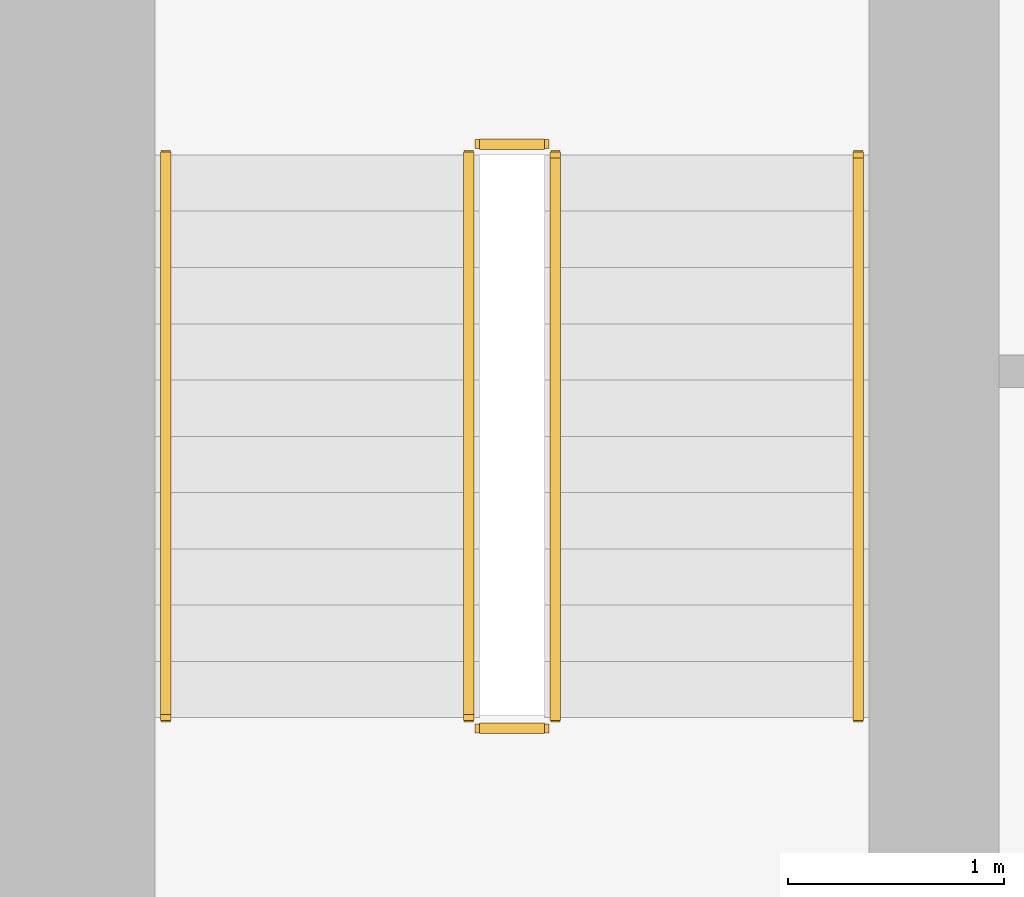
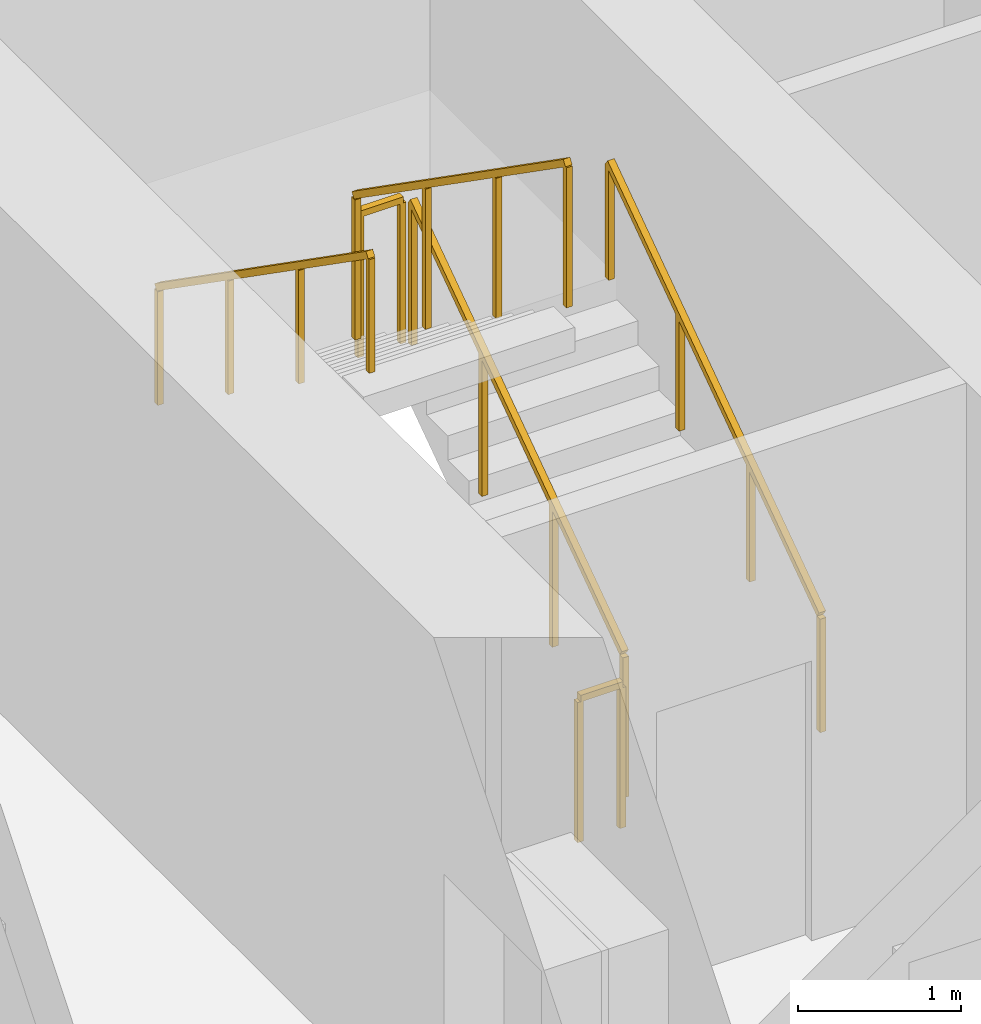
# One storey, part 10 of 12: 6 railings.
"""IFC4 building model written with IfcOpenShell, lengths in metres."""

from ifc_helpers import new_model, si_unit, direction, frame, origin, origin_2d, place, context, subcontext, project, spatial, rectangle, extrude, material, type_object, element, save


model = new_model("IFC4")

# Units and contexts
model_context = context("Model", 3, precision=1e-05, world=origin(), true_north=direction((0.0, 1.0)))
body_context = subcontext(model_context, "Body", "Model", "MODEL_VIEW")
ifc_project = project(units=[si_unit("LENGTHUNIT", "METRE"), si_unit("AREAUNIT", "SQUARE_METRE"), si_unit("VOLUMEUNIT", "CUBIC_METRE"), si_unit("PLANEANGLEUNIT", "RADIAN"), si_unit("MASSUNIT", "GRAM", prefix="KILO")], contexts=[model_context])

# Site, building, storey
site_placement = place(None, origin())
site = spatial("IfcSite", under=ifc_project, at=site_placement, CompositionType="ELEMENT")
building_placement = place(site_placement, origin())
building = spatial("IfcBuilding", under=site, at=building_placement, Name="Rattan Terrace Tower", CompositionType="ELEMENT")
storey_placement = place(building_placement, frame((0.0, 0.0, 292.300048828125)))
storey = spatial("IfcBuildingStorey", under=building, at=storey_placement, Name="C01", CompositionType="ELEMENT", Elevation=292.300048828125)

# Railings
ifc_material_1 = material(Name="Powder-coated steel guard", Category="steel")
railing_type_1 = type_object("IfcRailingType", Name="Core stair guard", PredefinedType="GUARDRAIL", material=ifc_material_1)
railing_1_placement = place(storey_placement, frame((-15.25, 1.699951171875, 0.181884765625)))
element("IfcRailing", 1, at=railing_1_placement, inside=storey, type_object=railing_type_1, Name="C01 S1 stair guard 1", PredefinedType="GUARDRAIL", context=body_context, shape_type="SweptSolid", body=[
    extrude(rectangle(XDim=0.048095703125, YDim=0.048095703125, at=origin_2d()), frame((0.0, 0.0, 1.076171875), z_axis=(0.0, 0.819521025635, 0.573049115296), x_axis=(-1.0, 0.0, 0.0)), (0.0, 0.0, 1.0), 3.172607421875),
    extrude(rectangle(XDim=0.0419921875, YDim=0.0419921875, at=origin_2d()), origin(), (0.0, 0.0, 1.0), 1.052001953125),
    extrude(rectangle(XDim=0.0419921875, YDim=0.0419921875, at=origin_2d()), frame((0.0, 0.86669921875, 0.60595703125)), (0.0, 0.0, 1.0), 1.052001953125),
    extrude(rectangle(XDim=0.0419921875, YDim=0.0419921875, at=origin_2d()), frame((0.0, 1.7333984375, 1.212158203125)), (0.0, 0.0, 1.0), 1.052001953125),
    extrude(rectangle(XDim=0.0419921875, YDim=0.0419921875, at=origin_2d()), frame((0.0, 2.60009765625, 1.818115234375)), (0.0, 0.0, 1.0), 1.052001953125),
])
railing_2_placement = place(storey_placement, frame((-15.300048828125, 4.35009765625, 2.0)))
element("IfcRailing", 2, at=railing_2_placement, inside=storey, type_object=railing_type_1, Name="C01 S1 stair guard 2", PredefinedType="GUARDRAIL", context=body_context, shape_type="SweptSolid", body=[
    extrude(rectangle(XDim=0.048095703125, YDim=0.048095703125, at=origin_2d()), frame((0.0, 0.0, 1.076171875), z_axis=(-1.0, 0.0, 0.0), x_axis=(0.0, -1.0, 0.0)), (0.0, 0.0, 1.0), 0.300048828125),
    extrude(rectangle(XDim=0.0419921875, YDim=0.0419921875, at=origin_2d()), origin(), (0.0, 0.0, 1.0), 1.052001953125),
    extrude(rectangle(XDim=0.0419921875, YDim=0.0419921875, at=origin_2d()), frame((-0.300048828125, 0.0, 0.0)), (0.0, 0.0, 1.0), 1.052001953125),
])
railing_3_placement = place(storey_placement, frame((-15.64990234375, 4.300048828125, 2.181884765625)))
element("IfcRailing", 3, at=railing_3_placement, inside=storey, type_object=railing_type_1, Name="C01 S1 stair guard 3", PredefinedType="GUARDRAIL", context=body_context, shape_type="SweptSolid", body=[
    extrude(rectangle(XDim=0.048095703125, YDim=0.048095703125, at=origin_2d()), frame((0.0, 0.0, 1.076171875), z_axis=(0.0, -0.819521025635, 0.573049115296), x_axis=(1.0, 0.0, 0.0)), (0.0, 0.0, 1.0), 3.172607421875),
    extrude(rectangle(XDim=0.0419921875, YDim=0.0419921875, at=origin_2d()), origin(), (0.0, 0.0, 1.0), 1.052001953125),
    extrude(rectangle(XDim=0.0419921875, YDim=0.0419921875, at=origin_2d()), frame((0.0, -0.86669921875, 0.60595703125)), (0.0, 0.0, 1.0), 1.052001953125),
    extrude(rectangle(XDim=0.0419921875, YDim=0.0419921875, at=origin_2d()), frame((0.0, -1.7333984375, 1.212158203125)), (0.0, 0.0, 1.0), 1.052001953125),
    extrude(rectangle(XDim=0.0419921875, YDim=0.0419921875, at=origin_2d()), frame((0.0, -2.60009765625, 1.818115234375)), (0.0, 0.0, 1.0), 1.052001953125),
])
railing_4_placement = place(storey_placement, frame((-15.300048828125, 1.64990234375, 0.0)))
element("IfcRailing", 4, at=railing_4_placement, inside=storey, type_object=railing_type_1, Name="C01 S1 stair guard 4", PredefinedType="GUARDRAIL", context=body_context, shape_type="SweptSolid", body=[
    extrude(rectangle(XDim=0.048095703125, YDim=0.048095703125, at=origin_2d()), frame((0.0, 0.0, 1.076171875), z_axis=(-1.0, 0.0, 0.0), x_axis=(0.0, -1.0, 0.0)), (0.0, 0.0, 1.0), 0.300048828125),
    extrude(rectangle(XDim=0.0419921875, YDim=0.0419921875, at=origin_2d()), origin(), (0.0, 0.0, 1.0), 1.052001953125),
    extrude(rectangle(XDim=0.0419921875, YDim=0.0419921875, at=origin_2d()), frame((-0.300048828125, 0.0, 0.0)), (0.0, 0.0, 1.0), 1.052001953125),
])
ifc_material_2 = material(Name="Powder-coated steel handrail", Category="steel")
railing_type_2 = type_object("IfcRailingType", Name="Core stair handrail", PredefinedType="HANDRAIL", material=ifc_material_2)
railing_5_placement = place(storey_placement, frame((-13.85009765625, 1.699951171875, 0.181884765625)))
element("IfcRailing", 5, at=railing_5_placement, inside=storey, type_object=railing_type_2, Name="C01 S1 stair handrail 1", PredefinedType="HANDRAIL", context=body_context, shape_type="SweptSolid", body=[
    extrude(rectangle(XDim=0.048095703125, YDim=0.048095703125, at=origin_2d()), frame((0.0, 0.0, 0.8759765625), z_axis=(0.0, 0.819521025635, 0.573049115296), x_axis=(-1.0, 0.0, 0.0)), (0.0, 0.0, 1.0), 3.172607421875),
    extrude(rectangle(XDim=0.0419921875, YDim=0.0419921875, at=origin_2d()), origin(), (0.0, 0.0, 1.0), 0.851806640625),
    extrude(rectangle(XDim=0.0419921875, YDim=0.0419921875, at=origin_2d()), frame((0.0, 0.86669921875, 0.60595703125)), (0.0, 0.0, 1.0), 0.851806640625),
    extrude(rectangle(XDim=0.0419921875, YDim=0.0419921875, at=origin_2d()), frame((0.0, 1.7333984375, 1.212158203125)), (0.0, 0.0, 1.0), 0.851806640625),
    extrude(rectangle(XDim=0.0419921875, YDim=0.0419921875, at=origin_2d()), frame((0.0, 2.60009765625, 1.818115234375)), (0.0, 0.0, 1.0), 0.851806640625),
])
railing_6_placement = place(storey_placement, frame((-17.050048828125, 4.300048828125, 2.181884765625)))
element("IfcRailing", 6, at=railing_6_placement, inside=storey, type_object=railing_type_2, Name="C01 S1 stair handrail 2", PredefinedType="HANDRAIL", context=body_context, shape_type="SweptSolid", body=[
    extrude(rectangle(XDim=0.048095703125, YDim=0.048095703125, at=origin_2d()), frame((0.0, 0.0, 0.8759765625), z_axis=(0.0, -0.819521025635, 0.573049115296), x_axis=(1.0, 0.0, 0.0)), (0.0, 0.0, 1.0), 3.172607421875),
    extrude(rectangle(XDim=0.0419921875, YDim=0.0419921875, at=origin_2d()), origin(), (0.0, 0.0, 1.0), 0.851806640625),
    extrude(rectangle(XDim=0.0419921875, YDim=0.0419921875, at=origin_2d()), frame((0.0, -0.86669921875, 0.60595703125)), (0.0, 0.0, 1.0), 0.851806640625),
    extrude(rectangle(XDim=0.0419921875, YDim=0.0419921875, at=origin_2d()), frame((0.0, -1.7333984375, 1.212158203125)), (0.0, 0.0, 1.0), 0.851806640625),
    extrude(rectangle(XDim=0.0419921875, YDim=0.0419921875, at=origin_2d()), frame((0.0, -2.60009765625, 1.818115234375)), (0.0, 0.0, 1.0), 0.851806640625),
])

save(model, "model.ifc")
